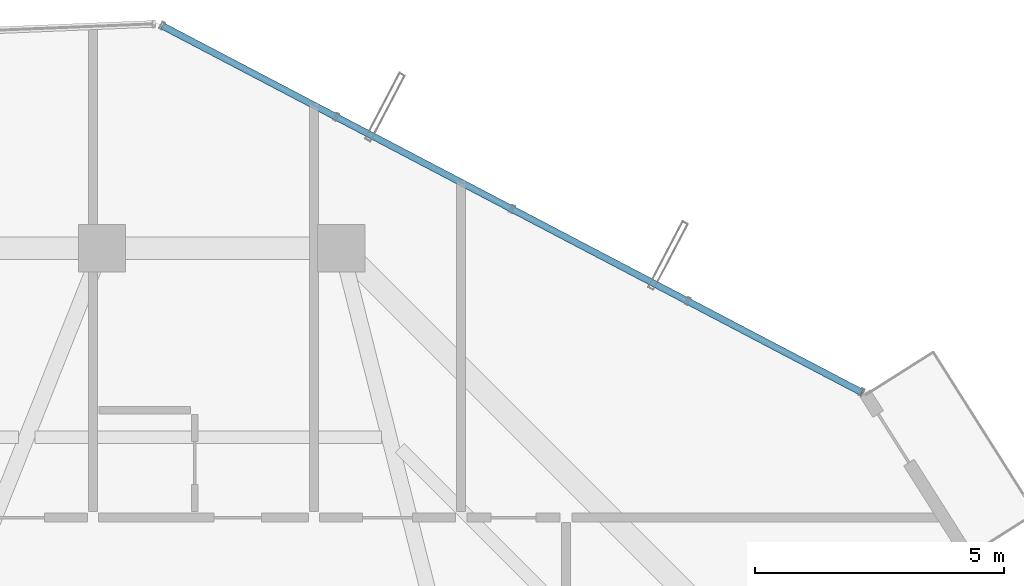
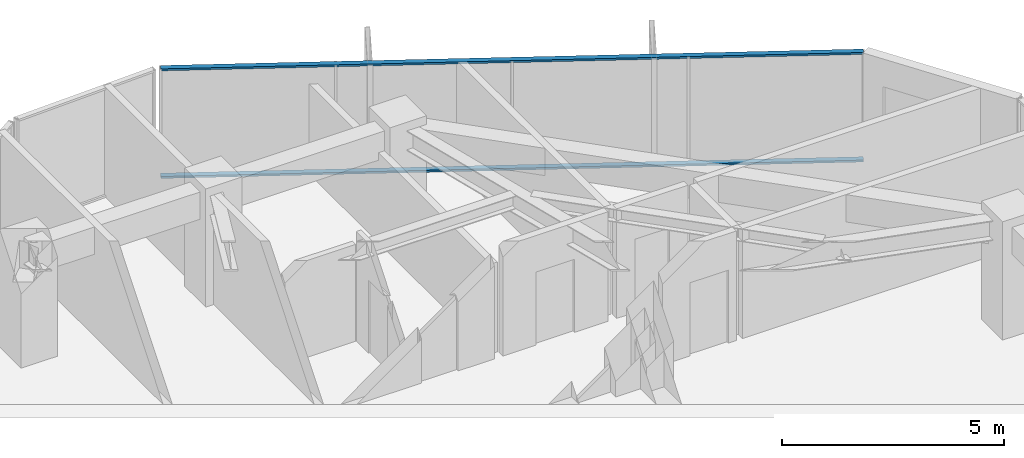
# One storey, part 26 of 33: 2 members, 1 element without a shape of its own.
"""IFC4 building model written with IfcOpenShell, lengths in metres."""

from ifc_helpers import new_model, si_unit, direction, frame, origin, origin_2d, place, context, subcontext, project, spatial, hollow_rectangle, extrude, source, transform, mapped, material, layer, layer_set, material_profile, profile_set, type_object, element, aggregate, save


model = new_model("IFC4")

# Units and contexts
model_context = context("Model", 3, precision=1e-05, world=origin(), true_north=direction((0.0, 1.0)))
body_context = subcontext(model_context, "Body", "Model", "MODEL_VIEW")
ifc_project = project(units=[si_unit("LENGTHUNIT", "METRE"), si_unit("AREAUNIT", "SQUARE_METRE"), si_unit("VOLUMEUNIT", "CUBIC_METRE"), si_unit("PLANEANGLEUNIT", "RADIAN"), si_unit("MASSUNIT", "GRAM", prefix="KILO")], contexts=[model_context])

# Site, building, storey
site_placement = place(None, origin())
site = spatial("IfcSite", under=ifc_project, at=site_placement, CompositionType="ELEMENT")
building_placement = place(site_placement, origin())
building = spatial("IfcBuilding", under=site, at=building_placement, Name="Veraguas Prism Commons", CompositionType="ELEMENT")
storey_placement = place(building_placement, frame((0.0, 0.0, 198.35009765625)))
storey = spatial("IfcBuildingStorey", under=building, at=storey_placement, Name="L56", CompositionType="ELEMENT", Elevation=198.35009765625)

# Curtain wall, members
ifc_material = material(Name="Anodised aluminium EN AW-6063 T6", Category="aluminium")
ifc_layer = layer(ifc_material, 0.14990234375, Name="Unitised Flush Curtain Wall Zone 3", Category="aluminium")
ifc_layer_set = layer_set([ifc_layer], Name="Anodised aluminium EN AW-6063 T6")
curtain_wall_type = type_object("IfcCurtainWallType", Name="Unitised Flush Curtain Wall Zone 3", PredefinedType="NOTDEFINED", material=ifc_layer_set)
curtain_wall_placement = place(storey_placement, origin())
curtain_wall = element("IfcCurtainWall", 1, at=curtain_wall_placement, inside=storey, type_object=curtain_wall_type, Name="Tower Facade Curtain Wall L56-F1", PredefinedType="NOTDEFINED")
ifc_material_profile = material_profile(ifc_material, hollow_rectangle(XDim=0.054931640625, YDim=0.135009765625, WallThickness=0.0029296875, at=origin_2d()), Name="AL55X135X3")
ifc_profile_set = profile_set([ifc_material_profile], Name="Anodised aluminium EN AW-6063 T6")
member_type = type_object("IfcMemberType", Name="Curtain Wall Transom Standard AL 55x135x3", PredefinedType="USERDEFINED", material=ifc_profile_set)
shared_shape = source(origin(), body_context, "Body", "SweptSolid", [
    extrude(hollow_rectangle(XDim=0.054931640625, YDim=0.135009765625, WallThickness=0.0029296875, at=origin_2d()), origin(), (0.0, 0.0, 1.0), 15.842529296875),
])
member_1_placement = place(storey_placement, frame((39.237548828125, 36.009033203125, 0.02734375), z_axis=(-0.885717191171, 0.464225222563, 0.0), x_axis=(0.0, 0.0, 1.0)))
member_1 = element("IfcMember", 2, at=member_1_placement, type_object=member_type, Name="CW-Z3 Transom 1", ObjectType="TRANSOM", PredefinedType="USERDEFINED", context=body_context, shape_type="MappedRepresentation", body=[
    mapped(shared_shape, transform((0.0, 0.0, 0.0), scale=1.0)),
])
member_2_placement = place(storey_placement, frame((39.237548828125, 36.009033203125, 2.9873046875), z_axis=(-0.885717191171, 0.464225222563, 0.0), x_axis=(0.0, 0.0, 1.0)))
member_2 = element("IfcMember", 3, at=member_2_placement, type_object=member_type, Name="CW-Z3 Transom 2", ObjectType="TRANSOM", PredefinedType="USERDEFINED", context=body_context, shape_type="MappedRepresentation", body=[
    mapped(shared_shape, transform((0.0, 0.0, 0.0), scale=1.0)),
])
aggregate(curtain_wall, [member_1, member_2])

save(model, "model.ifc")
